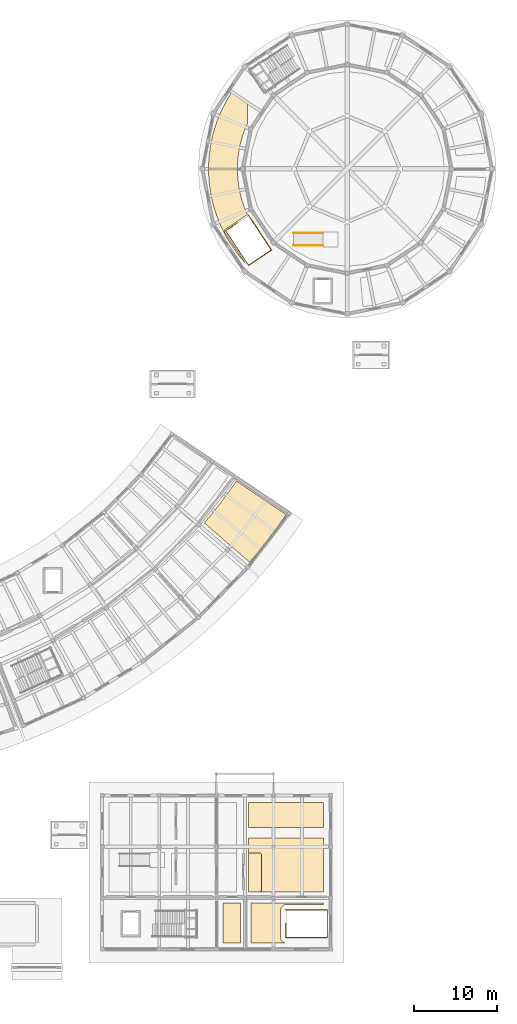
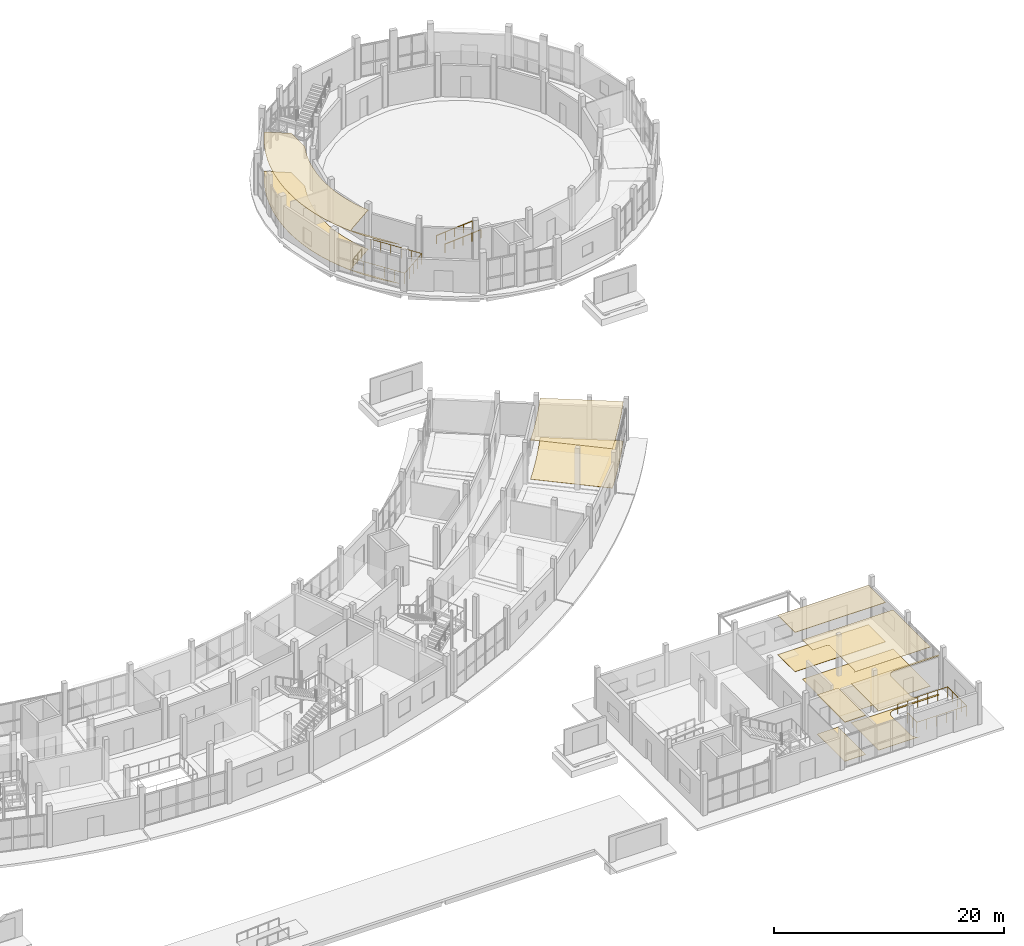
# One storey, part 89 of 92: 12 coverings, 4 railings.
"""IFC4 building model written with IfcOpenShell, lengths in metres."""

from ifc_helpers import new_model, si_unit, direction, frame, origin, origin_2d, place, context, subcontext, project, spatial, polyline, circle, outline, extrude, material, layer, layer_set, type_object, element, save


model = new_model("IFC4")

# Units and contexts
model_context = context("Model", 3, precision=1e-05, world=origin(), true_north=direction((0.0, 1.0)))
body_context = subcontext(model_context, "Body", "Model", "MODEL_VIEW")
ifc_project = project(units=[si_unit("LENGTHUNIT", "METRE"), si_unit("AREAUNIT", "SQUARE_METRE"), si_unit("VOLUMEUNIT", "CUBIC_METRE"), si_unit("PLANEANGLEUNIT", "RADIAN"), si_unit("MASSUNIT", "GRAM", prefix="KILO")], contexts=[model_context])

# Site, building, storey
site_placement = place(None, origin())
site = spatial("IfcSite", under=ifc_project, at=site_placement, CompositionType="ELEMENT")
building_placement = place(site_placement, origin())
building = spatial("IfcBuilding", under=site, at=building_placement, Name="Caldaven Crescent School", CompositionType="ELEMENT")
storey_placement = place(building_placement, origin())
storey = spatial("IfcBuildingStorey", under=building, at=storey_placement, Name="L00", CompositionType="ELEMENT", Elevation=0.0)

# Coverings
ifc_material_1 = material(Name="Perforated Pino Radiata acoustic timber baffle ceiling", Category="wood")
ifc_layer_1 = layer(ifc_material_1, 0.030029296875)
ifc_layer_set_1 = layer_set([ifc_layer_1], Name="Perforated Pino Radiata acoustic timber baffle ceiling")
covering_type_1 = type_object("IfcCoveringType", Name="COV-CLG1", PredefinedType="CEILING", material=ifc_layer_set_1)
covering_1_placement = place(storey_placement, frame((0.0, 0.0, 4.169921875)))
element("IfcCovering", 1, at=covering_1_placement, inside=storey, type_object=covering_type_1, Name="CLG-L00-032", PredefinedType="CEILING", context=body_context, shape_type="SweptSolid", body=[
    extrude(outline(polyline([(149.64990234375, 17.64990234375), (149.64990234375, 11.14990234375), (140.550048828125, 11.14990234375), (140.550048828125, 11.14990234375), (141.89990234375, 11.14990234375), (141.924560546875, 11.151123046875), (141.94873046875, 11.15478515625), (141.97265625, 11.160888671875), (141.99560546875, 11.1689453125), (142.017822265625, 11.179443359375), (142.038818359375, 11.192138671875), (142.05859375, 11.206787109375), (142.076904296875, 11.22314453125), (142.09326171875, 11.241455078125), (142.10791015625, 11.260986328125), (142.12060546875, 11.2822265625), (142.131103515625, 11.30419921875), (142.13916015625, 11.327392578125), (142.145263671875, 11.351318359375), (142.148681640625, 11.37548828125), (142.14990234375, 11.39990234375), (142.14990234375, 15.60009765625), (142.148681640625, 15.62451171875), (142.145263671875, 15.648681640625), (142.13916015625, 15.672607421875), (142.131103515625, 15.69580078125), (142.12060546875, 15.7177734375), (142.10791015625, 15.739013671875), (142.09326171875, 15.758544921875), (142.076904296875, 15.77685546875), (142.05859375, 15.793212890625), (142.038818359375, 15.807861328125), (142.017822265625, 15.820556640625), (141.99560546875, 15.8310546875), (141.97265625, 15.839111328125), (141.94873046875, 15.84521484375), (141.924560546875, 15.848876953125), (141.89990234375, 15.85009765625), (140.550048828125, 15.85009765625), (140.550048828125, 17.64990234375), (149.64990234375, 17.64990234375)])), origin(), (0.0, 0.0, 1.0), 0.030029296875),
])
ifc_layer_2 = layer(ifc_material_1, 0.0380859375)
ifc_layer_set_2 = layer_set([ifc_layer_2], Name="Perforated Pino Radiata acoustic timber baffle ceiling")
covering_type_2 = type_object("IfcCoveringType", Name="COV-CLG2", PredefinedType="CEILING", material=ifc_layer_set_2)
covering_2_placement = place(storey_placement, frame((0.0, 0.0, 4.162109375)))
element("IfcCovering", 2, at=covering_2_placement, inside=storey, type_object=covering_type_2, Name="CLG-L00-033", PredefinedType="CEILING", context=body_context, shape_type="SweptSolid", body=[
    extrude(outline(polyline([(149.64990234375, 21.949951171875), (149.64990234375, 18.949951171875), (140.550048828125, 18.949951171875), (140.550048828125, 21.949951171875), (149.64990234375, 21.949951171875)])), origin(), (0.0, 0.0, 1.0), 0.037841796875),
])
ifc_layer_3 = layer(ifc_material_1, 0.0458984375)
ifc_layer_set_3 = layer_set([ifc_layer_3], Name="Perforated Pino Radiata acoustic timber baffle ceiling")
covering_type_3 = type_object("IfcCoveringType", Name="COV-CLG3", PredefinedType="CEILING", material=ifc_layer_set_3)
covering_3_placement = place(storey_placement, frame((0.0, 0.0, 4.154052734375)))
element("IfcCovering", 3, at=covering_3_placement, inside=storey, type_object=covering_type_3, Name="CLG-L00-034", PredefinedType="CEILING", context=body_context, shape_type="SweptSolid", body=[
    extrude(outline(polyline([(140.89990234375, 5.0), (140.89990234375, 9.800048828125), (149.64990234375, 9.800048828125), (149.64990234375, 9.6201171875), (145.157958984375, 9.6201171875), (145.135986328125, 9.619384765625), (145.111572265625, 9.618408203125), (145.067626953125, 9.614013671875), (145.043212890625, 9.6103515625), (144.999267578125, 9.6015625), (144.975341796875, 9.595458984375), (144.934814453125, 9.583251953125), (144.911865234375, 9.5751953125), (144.869140625, 9.5576171875), (144.84716796875, 9.547119140625), (144.8095703125, 9.52685546875), (144.788330078125, 9.514404296875), (144.751220703125, 9.489501953125), (144.7314453125, 9.474853515625), (144.697265625, 9.44677734375), (144.678955078125, 9.43017578125), (144.647705078125, 9.39892578125), (144.63134765625, 9.380859375), (144.603271484375, 9.346435546875), (144.588623046875, 9.326904296875), (144.563720703125, 9.28955078125), (144.551025390625, 9.2685546875), (144.531005859375, 9.23095703125), (144.5205078125, 9.208740234375), (144.5029296875, 9.166259765625), (144.49462890625, 9.14306640625), (144.482421875, 9.1025390625), (144.4765625, 9.078857421875), (144.4677734375, 9.03466796875), (144.464111328125, 9.010498046875), (144.459716796875, 8.966552734375), (144.45849609375, 8.94189453125), (144.4580078125, 8.919921875), (144.4580078125, 5.679931640625), (144.45849609375, 5.657958984375), (144.459716796875, 5.633544921875), (144.464111328125, 5.589599609375), (144.4677734375, 5.565185546875), (144.4765625, 5.521240234375), (144.482421875, 5.497314453125), (144.49462890625, 5.456787109375), (144.5029296875, 5.433837890625), (144.5205078125, 5.39111328125), (144.531005859375, 5.369140625), (144.551025390625, 5.33154296875), (144.563720703125, 5.310302734375), (144.588623046875, 5.273193359375), (144.603271484375, 5.25341796875), (144.63134765625, 5.21923828125), (144.647705078125, 5.200927734375), (144.678955078125, 5.169921875), (144.697265625, 5.1533203125), (144.7314453125, 5.125244140625), (144.751220703125, 5.110595703125), (144.788330078125, 5.085693359375), (144.8095703125, 5.072998046875), (144.84716796875, 5.052978515625), (144.869140625, 5.04248046875), (144.911865234375, 5.02490234375), (144.934814453125, 5.0166015625), (144.975341796875, 5.00439453125), (144.9931640625, 5.0), (140.89990234375, 5.0)])), origin(), (0.0, 0.0, 1.0), 0.0458984375),
])
covering_4_placement = place(storey_placement, frame((0.0, 0.0, 4.154052734375)))
element("IfcCovering", 4, at=covering_4_placement, inside=storey, type_object=covering_type_3, Name="CLG-L00-114", PredefinedType="CEILING", context=body_context, shape_type="SweptSolid", body=[
    extrude(outline(polyline([(136.107421875, 56.778076171875), (136.11572265625, 56.788330078125), (137.2392578125, 58.208984375), (137.247314453125, 58.219482421875), (138.328857421875, 59.672607421875), (138.33642578125, 59.68310546875), (139.12060546875, 60.80419921875), (145.1298828125, 56.730712890625), (144.2197265625, 55.429443359375), (143.003173828125, 53.794677734375), (141.739013671875, 52.1962890625), (140.7177734375, 50.980224609375), (135.227783203125, 55.730712890625), (136.107421875, 56.778076171875)])), origin(), (0.0, 0.0, 1.0), 0.0458984375),
])
ifc_layer_4 = layer(ifc_material_1, 0.053955078125)
ifc_layer_set_4 = layer_set([ifc_layer_4], Name="Perforated Pino Radiata acoustic timber baffle ceiling")
covering_type_4 = type_object("IfcCoveringType", Name="COV-CLG4", PredefinedType="CEILING", material=ifc_layer_set_4)
covering_5_placement = place(storey_placement, frame((0.0, 0.0, 4.14599609375)))
element("IfcCovering", 5, at=covering_5_placement, inside=storey, type_object=covering_type_4, Name="CLG-L00-007", PredefinedType="CEILING", context=body_context, shape_type="SweptSolid", body=[
    extrude(outline(polyline([(140.30029296875, 103.669921875), (140.1328125, 103.255615234375), (140.127197265625, 103.240966796875), (139.974609375, 102.8212890625), (139.969482421875, 102.806396484375), (139.831298828125, 102.381591796875), (139.82666015625, 102.366455078125), (139.70361328125, 101.93701171875), (139.699462890625, 101.921630859375), (139.59130859375, 101.48828125), (139.587890625, 101.472900390625), (139.4951171875, 101.035888671875), (139.491943359375, 101.0205078125), (139.414306640625, 100.58056640625), (139.412109375, 100.56494140625), (139.349853515625, 100.12255859375), (139.347900390625, 100.10693359375), (139.30126953125, 99.66259765625), (139.2998046875, 99.64697265625), (139.2685546875, 99.201416015625), (139.267822265625, 99.185546875), (139.252197265625, 98.739013671875), (139.251953125, 98.723388671875), (139.251953125, 98.276611328125), (139.252197265625, 98.260986328125), (139.267822265625, 97.814453125), (139.2685546875, 97.798583984375), (139.2998046875, 97.35302734375), (139.30126953125, 97.33740234375), (139.347900390625, 96.89306640625), (139.349853515625, 96.87744140625), (139.412109375, 96.43505859375), (139.414306640625, 96.41943359375), (139.491943359375, 95.9794921875), (139.4951171875, 95.964111328125), (139.587890625, 95.527099609375), (139.59130859375, 95.51171875), (139.699462890625, 95.078369140625), (139.70361328125, 95.06298828125), (139.82666015625, 94.633544921875), (139.831298828125, 94.618408203125), (139.969482421875, 94.193603515625), (139.974609375, 94.1787109375), (140.127197265625, 93.759033203125), (140.1328125, 93.744384765625), (140.30029296875, 93.330078125), (140.306396484375, 93.3154296875), (140.45166015625, 92.989501953125), (140.450927734375, 92.9892578125), (137.757080078125, 91.189208984375), (137.73974609375, 91.17626953125), (137.7236328125, 91.161865234375), (137.709228515625, 91.145751953125), (137.6962890625, 91.12841796875), (137.685302734375, 91.10986328125), (137.676025390625, 91.09033203125), (137.668701171875, 91.070068359375), (137.66357421875, 91.049072265625), (137.660400390625, 91.02783203125), (137.6591796875, 91.006103515625), (137.660400390625, 90.984619140625), (137.66357421875, 90.96337890625), (137.668701171875, 90.9423828125), (137.676025390625, 90.922119140625), (137.685302734375, 90.902587890625), (137.6962890625, 90.884033203125), (140.213134765625, 87.1171875), (139.858642578125, 87.510986328125), (139.48291015625, 87.958984375), (139.122802734375, 88.419677734375), (138.779296875, 88.892578125), (138.452392578125, 89.377197265625), (138.142578125, 89.873046875), (137.85009765625, 90.37939453125), (137.57568359375, 90.895751953125), (137.3193359375, 91.421142578125), (137.08154296875, 91.955322265625), (136.862548828125, 92.497314453125), (136.66259765625, 93.046630859375), (136.48193359375, 93.602783203125), (136.32080078125, 94.164794921875), (136.17919921875, 94.732177734375), (136.057861328125, 95.303955078125), (135.956298828125, 95.879638671875), (135.875, 96.45849609375), (135.81396484375, 97.0400390625), (135.773193359375, 97.623291015625), (135.752685546875, 98.207763671875), (135.752685546875, 98.792236328125), (135.773193359375, 99.376708984375), (135.81396484375, 99.9599609375), (135.875, 100.54150390625), (135.956298828125, 101.120361328125), (136.057861328125, 101.696044921875), (136.17919921875, 102.267822265625), (136.32080078125, 102.835205078125), (136.48193359375, 103.397216796875), (136.66259765625, 103.953369140625), (136.862548828125, 104.502685546875), (137.08154296875, 105.044677734375), (137.3193359375, 105.578857421875), (137.57568359375, 106.104248046875), (137.85009765625, 106.62060546875), (138.142578125, 107.126953125), (138.452392578125, 107.622802734375), (138.527587890625, 107.734130859375), (140.468017578125, 106.37548828125), (140.468017578125, 104.047119140625), (140.306396484375, 103.6845703125), (140.30029296875, 103.669921875)])), origin(), (0.0, 0.0, 1.0), 0.053955078125),
])
covering_6_placement = place(storey_placement, frame((0.0, 0.0, 4.14599609375)))
element("IfcCovering", 6, at=covering_6_placement, inside=storey, type_object=covering_type_4, Name="CLG-L00-035", PredefinedType="CEILING", context=body_context, shape_type="SweptSolid", body=[
    extrude(outline(polyline([(139.60009765625, 9.800048828125), (139.60009765625, 5.0), (137.5, 5.0), (137.5, 9.800048828125), (139.60009765625, 9.800048828125)])), origin(), (0.0, 0.0, 1.0), 0.053955078125),
])
ifc_material_2 = material(Name="Polished terrazzo and acoustic linoleum flooring")
ifc_layer_5 = layer(ifc_material_2, 0.02001953125)
ifc_layer_set_5 = layer_set([ifc_layer_5], Name="Polished terrazzo and acoustic linoleum flooring")
covering_type_5 = type_object("IfcCoveringType", Name="COV-FLR1", PredefinedType="FLOORING", material=ifc_layer_set_5)
covering_7_placement = place(storey_placement, origin())
element("IfcCovering", 7, at=covering_7_placement, inside=storey, type_object=covering_type_5, Name="FLR-L00-033", PredefinedType="FLOORING", context=body_context, shape_type="SweptSolid", body=[
    extrude(outline(polyline([(140.550048828125, 21.949951171875), (149.64990234375, 21.949951171875), (149.64990234375, 18.949951171875), (140.550048828125, 18.949951171875), (140.550048828125, 21.949951171875)])), origin(), (0.0, 0.0, 1.0), 0.02001953125),
])
covering_8_placement = place(storey_placement, origin())
element("IfcCovering", 8, at=covering_8_placement, inside=storey, type_object=covering_type_5, Name="FLR-L00-114", PredefinedType="FLOORING", context=body_context, shape_type="SweptSolid", body=[
    extrude(outline(polyline([(135.227783203125, 55.730712890625), (136.107421875, 56.778076171875), (136.11572265625, 56.788330078125), (137.2392578125, 58.208984375), (137.247314453125, 58.219482421875), (138.328857421875, 59.672607421875), (138.33642578125, 59.68310546875), (139.12060546875, 60.80419921875), (145.1298828125, 56.730712890625), (144.2197265625, 55.429443359375), (143.003173828125, 53.794677734375), (141.739013671875, 52.1962890625), (140.7177734375, 50.980224609375), (135.227783203125, 55.730712890625)])), origin(), (0.0, 0.0, 1.0), 0.02001953125),
])
ifc_layer_6 = layer(ifc_material_2, 0.02587890625)
ifc_layer_set_6 = layer_set([ifc_layer_6], Name="Polished terrazzo and acoustic linoleum flooring")
covering_type_6 = type_object("IfcCoveringType", Name="COV-FLR2", PredefinedType="FLOORING", material=ifc_layer_set_6)
covering_9_placement = place(storey_placement, origin())
element("IfcCovering", 9, at=covering_9_placement, inside=storey, type_object=covering_type_6, Name="FLR-L00-007", PredefinedType="FLOORING", context=body_context, shape_type="SweptSolid", body=[
    extrude(outline(polyline([(140.306396484375, 103.6845703125), (140.30029296875, 103.669921875), (140.1328125, 103.255615234375), (140.127197265625, 103.240966796875), (139.974609375, 102.8212890625), (139.969482421875, 102.806396484375), (139.831298828125, 102.381591796875), (139.82666015625, 102.366455078125), (139.70361328125, 101.93701171875), (139.699462890625, 101.921630859375), (139.59130859375, 101.48828125), (139.587890625, 101.472900390625), (139.4951171875, 101.035888671875), (139.491943359375, 101.0205078125), (139.414306640625, 100.58056640625), (139.412109375, 100.56494140625), (139.349853515625, 100.12255859375), (139.347900390625, 100.10693359375), (139.30126953125, 99.66259765625), (139.2998046875, 99.64697265625), (139.2685546875, 99.201416015625), (139.267822265625, 99.185546875), (139.252197265625, 98.739013671875), (139.251953125, 98.723388671875), (139.251953125, 98.276611328125), (139.252197265625, 98.260986328125), (139.267822265625, 97.814453125), (139.2685546875, 97.798583984375), (139.2998046875, 97.35302734375), (139.30126953125, 97.33740234375), (139.347900390625, 96.89306640625), (139.349853515625, 96.87744140625), (139.412109375, 96.43505859375), (139.414306640625, 96.41943359375), (139.491943359375, 95.9794921875), (139.4951171875, 95.964111328125), (139.587890625, 95.527099609375), (139.59130859375, 95.51171875), (139.699462890625, 95.078369140625), (139.70361328125, 95.06298828125), (139.82666015625, 94.633544921875), (139.831298828125, 94.618408203125), (139.969482421875, 94.193603515625), (139.974609375, 94.1787109375), (140.127197265625, 93.759033203125), (140.1328125, 93.744384765625), (140.30029296875, 93.330078125), (140.306396484375, 93.3154296875), (140.45166015625, 92.989501953125), (140.450927734375, 92.9892578125), (137.757080078125, 91.189208984375), (137.73974609375, 91.17626953125), (137.7236328125, 91.161865234375), (137.709228515625, 91.145751953125), (137.6962890625, 91.12841796875), (137.685302734375, 91.10986328125), (137.676025390625, 91.09033203125), (137.668701171875, 91.070068359375), (137.66357421875, 91.049072265625), (137.660400390625, 91.02783203125), (137.6591796875, 91.006103515625), (137.660400390625, 90.984619140625), (137.66357421875, 90.96337890625), (137.668701171875, 90.9423828125), (137.676025390625, 90.922119140625), (137.685302734375, 90.902587890625), (137.6962890625, 90.884033203125), (140.213134765625, 87.1171875), (139.858642578125, 87.510986328125), (139.48291015625, 87.958984375), (139.122802734375, 88.419677734375), (138.779296875, 88.892578125), (138.452392578125, 89.377197265625), (138.142578125, 89.873046875), (137.85009765625, 90.37939453125), (137.57568359375, 90.895751953125), (137.3193359375, 91.421142578125), (137.08154296875, 91.955322265625), (136.862548828125, 92.497314453125), (136.66259765625, 93.046630859375), (136.48193359375, 93.602783203125), (136.32080078125, 94.164794921875), (136.17919921875, 94.732177734375), (136.057861328125, 95.303955078125), (135.956298828125, 95.879638671875), (135.875, 96.45849609375), (135.81396484375, 97.0400390625), (135.773193359375, 97.623291015625), (135.752685546875, 98.207763671875), (135.752685546875, 98.792236328125), (135.773193359375, 99.376708984375), (135.81396484375, 99.9599609375), (135.875, 100.54150390625), (135.956298828125, 101.120361328125), (136.057861328125, 101.696044921875), (136.17919921875, 102.267822265625), (136.32080078125, 102.835205078125), (136.48193359375, 103.397216796875), (136.66259765625, 103.953369140625), (136.862548828125, 104.502685546875), (137.08154296875, 105.044677734375), (137.3193359375, 105.578857421875), (137.57568359375, 106.104248046875), (137.85009765625, 106.62060546875), (138.142578125, 107.126953125), (138.452392578125, 107.622802734375), (138.527587890625, 107.734130859375), (140.468017578125, 106.37548828125), (140.468017578125, 104.047119140625), (140.306396484375, 103.6845703125)])), origin(), (0.0, 0.0, 1.0), 0.02587890625),
])
covering_10_placement = place(storey_placement, origin())
element("IfcCovering", 10, at=covering_10_placement, inside=storey, type_object=covering_type_6, Name="FLR-L00-034", PredefinedType="FLOORING", context=body_context, shape_type="SweptSolid", body=[
    extrude(outline(polyline([(144.9931640625, 5.0), (140.89990234375, 5.0), (140.89990234375, 9.800048828125), (149.64990234375, 9.800048828125), (149.64990234375, 9.6201171875), (145.157958984375, 9.6201171875), (145.135986328125, 9.619384765625), (145.111572265625, 9.618408203125), (145.067626953125, 9.614013671875), (145.043212890625, 9.6103515625), (144.999267578125, 9.6015625), (144.975341796875, 9.595458984375), (144.934814453125, 9.583251953125), (144.911865234375, 9.5751953125), (144.869140625, 9.5576171875), (144.84716796875, 9.547119140625), (144.8095703125, 9.52685546875), (144.788330078125, 9.514404296875), (144.751220703125, 9.489501953125), (144.7314453125, 9.474853515625), (144.697265625, 9.44677734375), (144.678955078125, 9.43017578125), (144.647705078125, 9.39892578125), (144.63134765625, 9.380859375), (144.603271484375, 9.346435546875), (144.588623046875, 9.326904296875), (144.563720703125, 9.28955078125), (144.551025390625, 9.2685546875), (144.531005859375, 9.23095703125), (144.5205078125, 9.208740234375), (144.5029296875, 9.166259765625), (144.49462890625, 9.14306640625), (144.482421875, 9.1025390625), (144.4765625, 9.078857421875), (144.4677734375, 9.03466796875), (144.464111328125, 9.010498046875), (144.459716796875, 8.966552734375), (144.45849609375, 8.94189453125), (144.4580078125, 8.919921875), (144.4580078125, 5.679931640625), (144.45849609375, 5.657958984375), (144.459716796875, 5.633544921875), (144.464111328125, 5.589599609375), (144.4677734375, 5.565185546875), (144.4765625, 5.521240234375), (144.482421875, 5.497314453125), (144.49462890625, 5.456787109375), (144.5029296875, 5.433837890625), (144.5205078125, 5.39111328125), (144.531005859375, 5.369140625), (144.551025390625, 5.33154296875), (144.563720703125, 5.310302734375), (144.588623046875, 5.273193359375), (144.603271484375, 5.25341796875), (144.63134765625, 5.21923828125), (144.647705078125, 5.200927734375), (144.678955078125, 5.169921875), (144.697265625, 5.1533203125), (144.7314453125, 5.125244140625), (144.751220703125, 5.110595703125), (144.788330078125, 5.085693359375), (144.8095703125, 5.072998046875), (144.84716796875, 5.052978515625), (144.869140625, 5.04248046875), (144.911865234375, 5.02490234375), (144.934814453125, 5.0166015625), (144.975341796875, 5.00439453125), (144.9931640625, 5.0)])), origin(), (0.0, 0.0, 1.0), 0.02587890625),
])
ifc_layer_7 = layer(ifc_material_2, 0.031982421875)
ifc_layer_set_7 = layer_set([ifc_layer_7], Name="Polished terrazzo and acoustic linoleum flooring")
covering_type_7 = type_object("IfcCoveringType", Name="COV-FLR3", PredefinedType="FLOORING", material=ifc_layer_set_7)
covering_11_placement = place(storey_placement, origin())
element("IfcCovering", 11, at=covering_11_placement, inside=storey, type_object=covering_type_7, Name="FLR-L00-032", PredefinedType="FLOORING", context=body_context, shape_type="SweptSolid", body=[
    extrude(outline(polyline([(140.550048828125, 17.64990234375), (149.64990234375, 17.64990234375), (149.64990234375, 11.14990234375), (140.550048828125, 11.14990234375), (140.550048828125, 17.64990234375)])), origin(), (0.0, 0.0, 1.0), 0.031982421875),
])
covering_12_placement = place(storey_placement, origin())
element("IfcCovering", 12, at=covering_12_placement, inside=storey, type_object=covering_type_7, Name="FLR-L00-035", PredefinedType="FLOORING", context=body_context, shape_type="SweptSolid", body=[
    extrude(outline(polyline([(137.5, 9.800048828125), (139.60009765625, 9.800048828125), (139.60009765625, 5.0), (137.5, 5.0), (137.5, 9.800048828125)])), origin(), (0.0, 0.0, 1.0), 0.031982421875),
])

# Railings
ifc_material_3 = material(Name="Brushed stainless-steel continuous tubular handrail", Category="steel")
railing_type_1 = type_object("IfcRailingType", Name="RAL-HR1", PredefinedType="HANDRAIL", material=ifc_material_3)
for number, where, name in (
    (13, (146.0, 89.25, 0.0), "HR-RMP1-L"),
    (14, (146.0, 90.75, 0.0), "HR-RMP1-R"),
):
    element("IfcRailing", number, at=place(storey_placement, frame(where)), inside=storey, type_object=railing_type_1, Name=name, PredefinedType="HANDRAIL", context=body_context, shape_type="SweptSolid", body=[
        extrude(circle(Radius=0.02392578125, at=origin_2d()), frame((0.0, 0.0, 0.8759765625), z_axis=(0.996988498323, 0.0, 0.077549559716), x_axis=(0.0, 1.0, 0.0)), (0.0, 0.0, 1.0), 3.611083984375),
        extrude(circle(Radius=0.02099609375, at=origin_2d()), origin(), (0.0, 0.0, 1.0), 0.851806640625),
        extrude(circle(Radius=0.02099609375, at=origin_2d()), frame((0.89990234375, 0.0, 0.070068359375)), (0.0, 0.0, 1.0), 0.851806640625),
        extrude(circle(Radius=0.02099609375, at=origin_2d()), frame((1.800048828125, 0.0, 0.14013671875)), (0.0, 0.0, 1.0), 0.851806640625),
        extrude(circle(Radius=0.02099609375, at=origin_2d()), frame((2.7001953125, 0.0, 0.2099609375)), (0.0, 0.0, 1.0), 0.851806640625),
        extrude(circle(Radius=0.02099609375, at=origin_2d()), frame((3.60009765625, 0.0, 0.280029296875)), (0.0, 0.0, 1.0), 0.851806640625),
    ])
ifc_material_4 = material(Name="Powder-coated tubular steel balustrade ASTM A572 Grade 50", Category="steel")
railing_type_2 = type_object("IfcRailingType", Name="RAL-INT3", PredefinedType="BALUSTRADE", material=ifc_material_4)
railing_1_placement = place(storey_placement, frame((145.117919921875, 7.320068359375, 0.0)))
element("IfcRailing", 15, at=railing_1_placement, inside=storey, type_object=railing_type_2, Name="GD-WELL-STB4-L00", PredefinedType="BALUSTRADE", context=body_context, shape_type="SweptSolid", body=[
    extrude(circle(Radius=0.02392578125, at=origin_2d()), frame((0.0, 0.0, 1.1259765625), z_axis=(0.0, -1.0, 0.0), x_axis=(1.0, 0.0, 0.0)), (0.0, 0.0, 1.0), 1.68017578125),
    extrude(circle(Radius=0.02392578125, at=origin_2d()), frame((0.0, -1.68017578125, 1.1259765625), z_axis=(1.0, 0.0, 0.0), x_axis=(0.0, 1.0, 0.0)), (0.0, 0.0, 1.0), 4.982177734375),
    extrude(circle(Radius=0.02392578125, at=origin_2d()), frame((4.982177734375, -1.68017578125, 1.1259765625), z_axis=(0.0, 1.0, 0.0), x_axis=(-1.0, 0.0, 0.0)), (0.0, 0.0, 1.0), 3.320068359375),
    extrude(circle(Radius=0.02392578125, at=origin_2d()), frame((4.982177734375, 1.639892578125, 1.1259765625), z_axis=(-1.0, 0.0, 0.0), x_axis=(0.0, -1.0, 0.0)), (0.0, 0.0, 1.0), 4.982177734375),
    extrude(circle(Radius=0.02099609375, at=origin_2d()), origin(), (0.0, 0.0, 1.0), 1.101806640625),
    extrude(circle(Radius=0.02099609375, at=origin_2d()), frame((0.0, -0.840087890625, 0.0)), (0.0, 0.0, 1.0), 1.101806640625),
    extrude(circle(Radius=0.02099609375, at=origin_2d()), frame((0.0, -1.68017578125, 0.0)), (0.0, 0.0, 1.0), 1.101806640625),
    extrude(circle(Radius=0.02099609375, at=origin_2d()), frame((0.996337890625, -1.68017578125, 0.0)), (0.0, 0.0, 1.0), 1.101806640625),
    extrude(circle(Radius=0.02099609375, at=origin_2d()), frame((1.992919921875, -1.68017578125, 0.0)), (0.0, 0.0, 1.0), 1.101806640625),
    extrude(circle(Radius=0.02099609375, at=origin_2d()), frame((2.9892578125, -1.68017578125, 0.0)), (0.0, 0.0, 1.0), 1.101806640625),
    extrude(circle(Radius=0.02099609375, at=origin_2d()), frame((3.98583984375, -1.68017578125, 0.0)), (0.0, 0.0, 1.0), 1.101806640625),
    extrude(circle(Radius=0.02099609375, at=origin_2d()), frame((4.982177734375, -1.68017578125, 0.0)), (0.0, 0.0, 1.0), 1.101806640625),
    extrude(circle(Radius=0.02099609375, at=origin_2d()), frame((4.982177734375, -0.85009765625, 0.0)), (0.0, 0.0, 1.0), 1.101806640625),
    extrude(circle(Radius=0.02099609375, at=origin_2d()), frame((4.982177734375, -0.02001953125, 0.0)), (0.0, 0.0, 1.0), 1.101806640625),
    extrude(circle(Radius=0.02099609375, at=origin_2d()), frame((4.982177734375, 0.809814453125, 0.0)), (0.0, 0.0, 1.0), 1.101806640625),
    extrude(circle(Radius=0.02099609375, at=origin_2d()), frame((4.982177734375, 1.639892578125, 0.0)), (0.0, 0.0, 1.0), 1.101806640625),
    extrude(circle(Radius=0.02099609375, at=origin_2d()), frame((3.98583984375, 1.639892578125, 0.0)), (0.0, 0.0, 1.0), 1.101806640625),
    extrude(circle(Radius=0.02099609375, at=origin_2d()), frame((2.9892578125, 1.639892578125, 0.0)), (0.0, 0.0, 1.0), 1.101806640625),
    extrude(circle(Radius=0.02099609375, at=origin_2d()), frame((1.992919921875, 1.639892578125, 0.0)), (0.0, 0.0, 1.0), 1.101806640625),
    extrude(circle(Radius=0.02099609375, at=origin_2d()), frame((0.996337890625, 1.639892578125, 0.0)), (0.0, 0.0, 1.0), 1.101806640625),
    extrude(circle(Radius=0.02099609375, at=origin_2d()), frame((0.0, 1.639892578125, 0.0)), (0.0, 0.0, 1.0), 1.101806640625),
])
railing_2_placement = place(storey_placement, frame((139.220703125, 91.95068359375, 0.0)))
element("IfcRailing", 16, at=railing_2_placement, inside=storey, type_object=railing_type_2, Name="GD-WELL-STB5-L00", PredefinedType="BALUSTRADE", context=body_context, shape_type="SweptSolid", body=[
    extrude(circle(Radius=0.02392578125, at=origin_2d()), frame((0.0, 0.0, 1.1259765625), z_axis=(-0.831490969121, -0.555538268953, 0.0), x_axis=(0.555538268953, -0.831490969121, 0.0)), (0.0, 0.0, 1.0), 1.68017578125),
    extrude(circle(Radius=0.02392578125, at=origin_2d()), frame((-1.39697265625, -0.933349609375, 1.1259765625), z_axis=(0.555570675158, -0.831469316875, 0.0), x_axis=(0.831469316875, 0.555570675158, 0.0)), (0.0, 0.0, 1.0), 4.98193359375),
    extrude(circle(Radius=0.02392578125, at=origin_2d()), frame((1.370849609375, -5.07568359375, 1.1259765625), z_axis=(0.831472868546, 0.555565359677, 0.0), x_axis=(-0.555565359677, 0.831472868546, 0.0)), (0.0, 0.0, 1.0), 3.320068359375),
    extrude(circle(Radius=0.02392578125, at=origin_2d()), frame((4.13134765625, -3.231201171875, 1.1259765625), z_axis=(-0.555570675158, 0.831469316875, 0.0), x_axis=(-0.831469316875, -0.555570675158, 0.0)), (0.0, 0.0, 1.0), 4.98193359375),
    extrude(circle(Radius=0.02099609375, at=origin_2d()), origin(), (0.0, 0.0, 1.0), 1.101806640625),
    extrude(circle(Radius=0.02099609375, at=origin_2d()), frame((-0.698486328125, -0.466796875, 0.0)), (0.0, 0.0, 1.0), 1.101806640625),
    extrude(circle(Radius=0.02099609375, at=origin_2d()), frame((-1.39697265625, -0.933349609375, 0.0)), (0.0, 0.0, 1.0), 1.101806640625),
    extrude(circle(Radius=0.02099609375, at=origin_2d()), frame((-0.843505859375, -1.76171875, 0.0)), (0.0, 0.0, 1.0), 1.101806640625),
    extrude(circle(Radius=0.02099609375, at=origin_2d()), frame((-0.289794921875, -2.59033203125, 0.0)), (0.0, 0.0, 1.0), 1.101806640625),
    extrude(circle(Radius=0.02099609375, at=origin_2d()), frame((0.263671875, -3.418701171875, 0.0)), (0.0, 0.0, 1.0), 1.101806640625),
    extrude(circle(Radius=0.02099609375, at=origin_2d()), frame((0.8173828125, -4.247314453125, 0.0)), (0.0, 0.0, 1.0), 1.101806640625),
    extrude(circle(Radius=0.02099609375, at=origin_2d()), frame((1.370849609375, -5.07568359375, 0.0)), (0.0, 0.0, 1.0), 1.101806640625),
    extrude(circle(Radius=0.02099609375, at=origin_2d()), frame((2.06103515625, -4.614501953125, 0.0)), (0.0, 0.0, 1.0), 1.101806640625),
    extrude(circle(Radius=0.02099609375, at=origin_2d()), frame((2.7509765625, -4.1533203125, 0.0)), (0.0, 0.0, 1.0), 1.101806640625),
    extrude(circle(Radius=0.02099609375, at=origin_2d()), frame((3.441162109375, -3.6923828125, 0.0)), (0.0, 0.0, 1.0), 1.101806640625),
    extrude(circle(Radius=0.02099609375, at=origin_2d()), frame((4.13134765625, -3.231201171875, 0.0)), (0.0, 0.0, 1.0), 1.101806640625),
    extrude(circle(Radius=0.02099609375, at=origin_2d()), frame((3.577880859375, -2.40283203125, 0.0)), (0.0, 0.0, 1.0), 1.101806640625),
    extrude(circle(Radius=0.02099609375, at=origin_2d()), frame((3.024169921875, -1.57421875, 0.0)), (0.0, 0.0, 1.0), 1.101806640625),
    extrude(circle(Radius=0.02099609375, at=origin_2d()), frame((2.470703125, -0.745849609375, 0.0)), (0.0, 0.0, 1.0), 1.101806640625),
    extrude(circle(Radius=0.02099609375, at=origin_2d()), frame((1.9169921875, 0.082763671875, 0.0)), (0.0, 0.0, 1.0), 1.101806640625),
    extrude(circle(Radius=0.02099609375, at=origin_2d()), frame((1.363525390625, 0.9111328125, 0.0)), (0.0, 0.0, 1.0), 1.101806640625),
])

save(model, "model.ifc")
